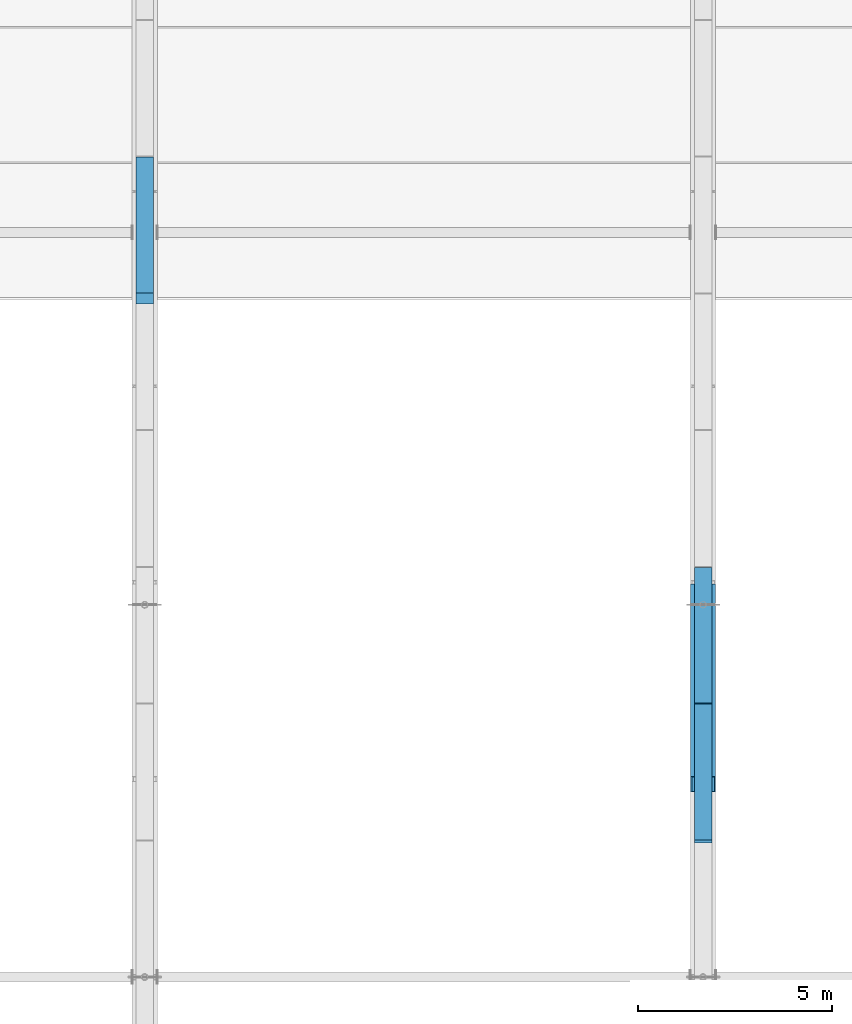
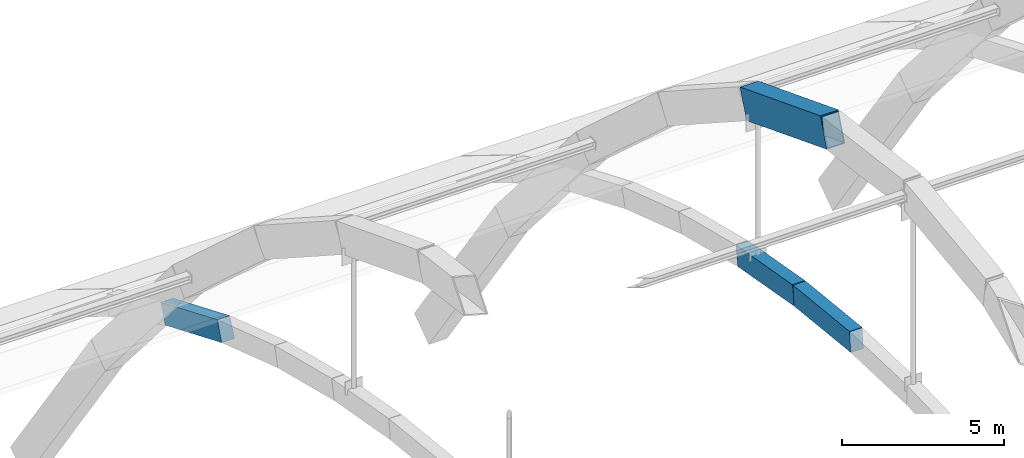
# One storey, part 17 of 64: 3 beams, 1 member.
"""IFC4 building model written with IfcOpenShell, lengths in metres."""

from ifc_helpers import new_model, si_unit, direction, frame, origin, origin_2d, place, context, subcontext, project, spatial, rectangle, hollow_rectangle, extrude, material, material_profile, profile_set, type_object, element, save


model = new_model("IFC4")

# Units and contexts
model_context = context("Model", 3, precision=1e-05, world=origin(), true_north=direction((0.0, 1.0)))
body_context = subcontext(model_context, "Body", "Model", "MODEL_VIEW")
ifc_project = project(units=[si_unit("LENGTHUNIT", "METRE"), si_unit("AREAUNIT", "SQUARE_METRE"), si_unit("VOLUMEUNIT", "CUBIC_METRE"), si_unit("PLANEANGLEUNIT", "RADIAN"), si_unit("MASSUNIT", "GRAM", prefix="KILO")], contexts=[model_context])

# Site, building, storey
site_placement = place(None, origin())
site = spatial("IfcSite", under=ifc_project, at=site_placement, CompositionType="ELEMENT")
building_placement = place(site_placement, origin())
building = spatial("IfcBuilding", under=site, at=building_placement, Name="Leyfeld Transit Interchange", CompositionType="ELEMENT")
storey_placement = place(building_placement, frame((0.0, 0.0, 9.60009765625)))
storey = spatial("IfcBuildingStorey", under=building, at=storey_placement, Name="L02", CompositionType="ELEMENT", Elevation=9.60009765625)

# Beams
ifc_material_1 = material(Name="Concrete C40/50", Category="concrete")
ifc_material_profile_1 = material_profile(ifc_material_1, rectangle(XDim=0.449951171875, YDim=0.75, at=origin_2d()), Name="RC 750x450 RIB")
ifc_profile_set_1 = profile_set([ifc_material_profile_1], Name="Concrete C40/50")
beam_type = type_object("IfcBeamType", Name="BM-RIB-750x450", PredefinedType="USERDEFINED", material=ifc_profile_set_1)
beam_1_placement = place(storey_placement, frame((43.199951171875, 49.89990234375, 4.27783203125), z_axis=(0.0, 0.922787193718, -0.385309998716), x_axis=(-1.0, 0.0, 0.0)))
element("IfcBeam", 1, at=beam_1_placement, inside=storey, type_object=beam_type, Name="Concourse Vault Rib A4 Seg 14", ObjectType="ARCH_RIB", PredefinedType="USERDEFINED", context=body_context, shape_type="SweptSolid", body=[
    extrude(rectangle(XDim=0.449951171875, YDim=0.75, at=origin_2d()), origin(), (0.0, 0.0, 1.0), 3.79296875),
])
beam_2_placement = place(storey_placement, frame((57.60009765625, 35.89990234375, 7.317626953125), z_axis=(0.0, 0.99446241795, -0.105092812723), x_axis=(-1.0, 0.0, 0.0)))
element("IfcBeam", 2, at=beam_2_placement, inside=storey, type_object=beam_type, Name="Concourse Vault Rib A5 Seg 10", ObjectType="ARCH_RIB", PredefinedType="USERDEFINED", context=body_context, shape_type="SweptSolid", body=[
    extrude(rectangle(XDim=0.449951171875, YDim=0.75, at=origin_2d()), origin(), (0.0, 0.0, 1.0), 3.51953125),
])
beam_3_placement = place(storey_placement, frame((57.60009765625, 39.39990234375, 6.94775390625), z_axis=(0.0, 0.984546197367, -0.175125056033), x_axis=(-1.0, 0.0, 0.0)))
element("IfcBeam", 3, at=beam_3_placement, inside=storey, type_object=beam_type, Name="Concourse Vault Rib A5 Seg 11", ObjectType="ARCH_RIB", PredefinedType="USERDEFINED", context=body_context, shape_type="SweptSolid", body=[
    extrude(rectangle(XDim=0.449951171875, YDim=0.75, at=origin_2d()), origin(), (0.0, 0.0, 1.0), 3.554931640625),
])

# Member
ifc_material_2 = material(Name="Steel S355J2 - Ochre Arch", Category="steel")
ifc_material_profile_2 = material_profile(ifc_material_2, hollow_rectangle(XDim=0.64990234375, YDim=1.10009765625, WallThickness=0.035888671875, at=origin_2d()), Name="RHS 1100x650x36")
ifc_profile_set_2 = profile_set([ifc_material_profile_2], Name="Steel S355J2 - Ochre Arch")
member_type = type_object("IfcMemberType", Name="MEM-ARCH-1100", PredefinedType="USERDEFINED", material=ifc_profile_set_2)
member_placement = place(storey_placement, frame((57.60009765625, 37.36669921875, 14.358154296875), z_axis=(0.0, 0.932424670612, -0.361364405599), x_axis=(-1.0, 0.0, 0.0)))
element("IfcMember", 4, at=member_placement, inside=storey, type_object=member_type, Name="Primary Steel Arch AR-04 Seg 8", ObjectType="ARCH_SEGMENT", PredefinedType="USERDEFINED", context=body_context, shape_type="SweptSolid", body=[
    extrude(hollow_rectangle(XDim=0.64990234375, YDim=1.10009765625, WallThickness=0.035888671875, at=origin_2d()), origin(), (0.0, 0.0, 1.0), 5.326416015625),
])

save(model, "model.ifc")
